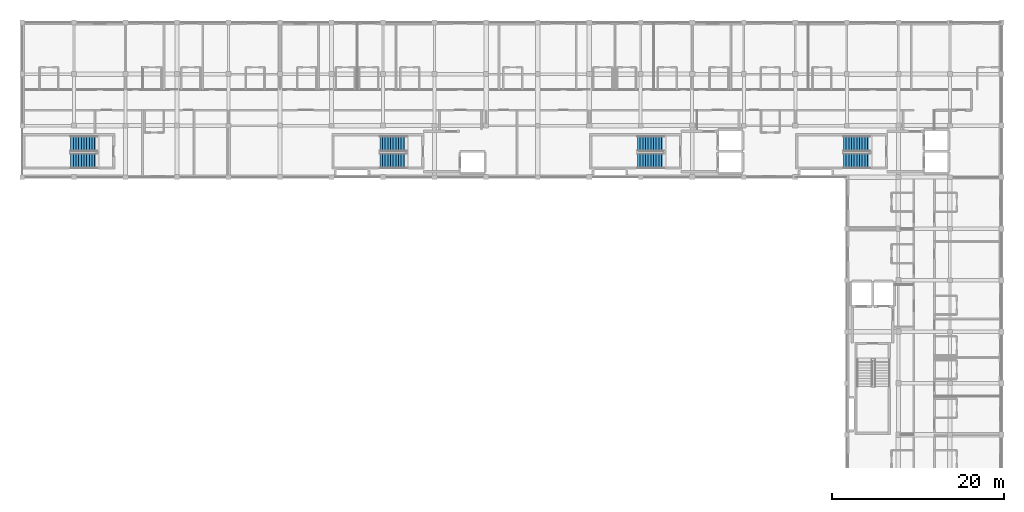
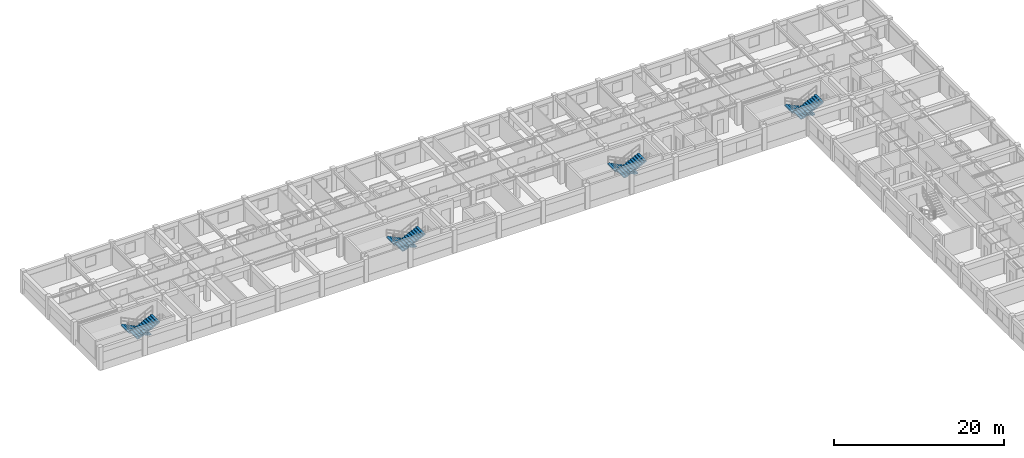
# One storey, part 16 of 21: 8 stair flights, 4 elements without a shape of their own.
"""IFC4 building model written with IfcOpenShell, lengths in metres."""

from ifc_helpers import new_model, si_unit, direction, frame, origin, place, context, subcontext, project, spatial, polyline, outline, extrude, material, type_object, element, aggregate, save


model = new_model("IFC4")

# Units and contexts
model_context = context("Model", 3, precision=1e-05, world=origin(), true_north=direction((0.0, 1.0)))
body_context = subcontext(model_context, "Body", "Model", "MODEL_VIEW")
ifc_project = project(units=[si_unit("LENGTHUNIT", "METRE"), si_unit("AREAUNIT", "SQUARE_METRE"), si_unit("VOLUMEUNIT", "CUBIC_METRE"), si_unit("PLANEANGLEUNIT", "RADIAN"), si_unit("MASSUNIT", "GRAM", prefix="KILO"), si_unit("THERMODYNAMICTEMPERATUREUNIT", "KELVIN"), si_unit("POWERUNIT", "WATT")], contexts=[model_context])

# Site, building, storey
site_placement = place(None, origin())
site = spatial("IfcSite", under=ifc_project, at=site_placement, CompositionType="ELEMENT")
building_placement = place(site_placement, origin())
building = spatial("IfcBuilding", under=site, at=building_placement, Name="Phaisarnlok Congress Hotel", CompositionType="ELEMENT")
storey_placement = place(building_placement, frame((0.0, 0.0, 31.5)))
storey = spatial("IfcBuildingStorey", under=building, at=storey_placement, Name="L07", CompositionType="ELEMENT", Elevation=31.5)

# Stair, stair flights
ifc_material = material(Name="Concrete C40/50", Category="concrete")
stair_type = type_object("IfcStairType", Name="STR-DOG-05", PredefinedType="HALF_TURN_STAIR", material=ifc_material)
stair_1_placement = place(storey_placement, origin())
stair_1 = element("IfcStair", 1, at=stair_1_placement, inside=storey, type_object=stair_type, Name="L07 ST-05", PredefinedType="HALF_TURN_STAIR")
stair_flight_type = type_object("IfcStairFlightType", Name="SFL-RC-05", PredefinedType="STRAIGHT", material=ifc_material)
stair_flight_1_placement = place(storey_placement, frame((164.719970703125, 111.909912109375, 0.0), z_axis=(0.0, 0.0, 1.0), x_axis=(-1.0, 0.0, 0.0)))
stair_flight_1 = element("IfcStairFlight", 2, at=stair_flight_1_placement, type_object=stair_flight_type, Name="ST-05 flight 1", NumberOfRisers=11, NumberOfTreads=10, PredefinedType="STRAIGHT", RiserHeight=0.15, TreadLength=0.31, context=body_context, shape_type="SweptSolid", body=[
    extrude(outline(polyline([(0.0, 0.0), (0.0, 0.14990234375), (0.31005859375, 0.14990234375), (0.31005859375, 0.300048828125), (0.6201171875, 0.300048828125), (0.6201171875, 0.449951171875), (0.929931640625, 0.449951171875), (0.929931640625, 0.60009765625), (1.239990234375, 0.60009765625), (1.239990234375, 0.75), (1.550048828125, 0.75), (1.550048828125, 0.89990234375), (1.860107421875, 0.89990234375), (1.860107421875, 1.050048828125), (2.169921875, 1.050048828125), (2.169921875, 1.199951171875), (2.47998046875, 1.199951171875), (2.47998046875, 1.35009765625), (2.7900390625, 1.35009765625), (2.7900390625, 1.5), (3.10009765625, 1.5), (3.10009765625, 1.64990234375), (3.10009765625, 1.33349609375), (0.34423828125, 0.0), (0.0, 0.0)])), frame((0.0, 0.89013671875, 0.0), z_axis=(0.0, -1.0, 0.0), x_axis=(1.0, 0.0, 0.0)), (0.0, 0.0, 1.0), 1.780029296875),
])
stair_flight_2_placement = place(storey_placement, frame((161.6201171875, 109.889892578125, 1.64990234375), z_axis=(0.0, 0.0, 1.0), x_axis=(1.0, 0.0, 0.0)))
stair_flight_2 = element("IfcStairFlight", 3, at=stair_flight_2_placement, type_object=stair_flight_type, Name="ST-05 flight 2", NumberOfRisers=11, NumberOfTreads=10, PredefinedType="STRAIGHT", RiserHeight=0.15, TreadLength=0.31, context=body_context, shape_type="SweptSolid", body=[
    extrude(outline(polyline([(0.0, 0.0), (0.0, 0.14990234375), (0.31005859375, 0.14990234375), (0.31005859375, 0.300048828125), (0.6201171875, 0.300048828125), (0.6201171875, 0.449951171875), (0.929931640625, 0.449951171875), (0.929931640625, 0.60009765625), (1.239990234375, 0.60009765625), (1.239990234375, 0.75), (1.550048828125, 0.75), (1.550048828125, 0.89990234375), (1.860107421875, 0.89990234375), (1.860107421875, 1.050048828125), (2.169921875, 1.050048828125), (2.169921875, 1.199951171875), (2.47998046875, 1.199951171875), (2.47998046875, 1.35009765625), (2.7900390625, 1.35009765625), (2.7900390625, 1.5), (3.10009765625, 1.5), (3.10009765625, 1.64990234375), (3.10009765625, 1.33349609375), (0.34423828125, 0.0), (0.0, 0.0)])), frame((0.0, 0.89013671875, 0.0), z_axis=(0.0, -1.0, 0.0), x_axis=(1.0, 0.0, 0.0)), (0.0, 0.0, 1.0), 1.780029296875),
])
aggregate(stair_1, [stair_flight_1, stair_flight_2])

stair_2_placement = place(storey_placement, origin())
stair_2 = element("IfcStair", 4, at=stair_2_placement, inside=storey, type_object=stair_type, Name="L07 ST-06", PredefinedType="HALF_TURN_STAIR")
stair_flight_3_placement = place(storey_placement, frame((140.719970703125, 111.909912109375, 0.0), z_axis=(0.0, 0.0, 1.0), x_axis=(-1.0, 0.0, 0.0)))
stair_flight_3 = element("IfcStairFlight", 5, at=stair_flight_3_placement, type_object=stair_flight_type, Name="ST-06 flight 1", NumberOfRisers=11, NumberOfTreads=10, PredefinedType="STRAIGHT", RiserHeight=0.15, TreadLength=0.31, context=body_context, shape_type="SweptSolid", body=[
    extrude(outline(polyline([(0.0, 0.0), (0.0, 0.14990234375), (0.31005859375, 0.14990234375), (0.31005859375, 0.300048828125), (0.6201171875, 0.300048828125), (0.6201171875, 0.449951171875), (0.929931640625, 0.449951171875), (0.929931640625, 0.60009765625), (1.239990234375, 0.60009765625), (1.239990234375, 0.75), (1.550048828125, 0.75), (1.550048828125, 0.89990234375), (1.860107421875, 0.89990234375), (1.860107421875, 1.050048828125), (2.169921875, 1.050048828125), (2.169921875, 1.199951171875), (2.47998046875, 1.199951171875), (2.47998046875, 1.35009765625), (2.7900390625, 1.35009765625), (2.7900390625, 1.5), (3.10009765625, 1.5), (3.10009765625, 1.64990234375), (3.10009765625, 1.33349609375), (0.34423828125, 0.0), (0.0, 0.0)])), frame((0.0, 0.89013671875, 0.0), z_axis=(0.0, -1.0, 0.0), x_axis=(1.0, 0.0, 0.0)), (0.0, 0.0, 1.0), 1.780029296875),
])
stair_flight_4_placement = place(storey_placement, frame((137.6201171875, 109.889892578125, 1.64990234375), z_axis=(0.0, 0.0, 1.0), x_axis=(1.0, 0.0, 0.0)))
stair_flight_4 = element("IfcStairFlight", 6, at=stair_flight_4_placement, type_object=stair_flight_type, Name="ST-06 flight 2", NumberOfRisers=11, NumberOfTreads=10, PredefinedType="STRAIGHT", RiserHeight=0.15, TreadLength=0.31, context=body_context, shape_type="SweptSolid", body=[
    extrude(outline(polyline([(0.0, 0.0), (0.0, 0.14990234375), (0.31005859375, 0.14990234375), (0.31005859375, 0.300048828125), (0.6201171875, 0.300048828125), (0.6201171875, 0.449951171875), (0.929931640625, 0.449951171875), (0.929931640625, 0.60009765625), (1.239990234375, 0.60009765625), (1.239990234375, 0.75), (1.550048828125, 0.75), (1.550048828125, 0.89990234375), (1.860107421875, 0.89990234375), (1.860107421875, 1.050048828125), (2.169921875, 1.050048828125), (2.169921875, 1.199951171875), (2.47998046875, 1.199951171875), (2.47998046875, 1.35009765625), (2.7900390625, 1.35009765625), (2.7900390625, 1.5), (3.10009765625, 1.5), (3.10009765625, 1.64990234375), (3.10009765625, 1.33349609375), (0.34423828125, 0.0), (0.0, 0.0)])), frame((0.0, 0.89013671875, 0.0), z_axis=(0.0, -1.0, 0.0), x_axis=(1.0, 0.0, 0.0)), (0.0, 0.0, 1.0), 1.780029296875),
])
aggregate(stair_2, [stair_flight_3, stair_flight_4])

stair_3_placement = place(storey_placement, origin())
stair_3 = element("IfcStair", 7, at=stair_3_placement, inside=storey, type_object=stair_type, Name="L07 ST-07", PredefinedType="HALF_TURN_STAIR")
stair_flight_5_placement = place(storey_placement, frame((110.719970703125, 111.909912109375, 0.0), z_axis=(0.0, 0.0, 1.0), x_axis=(-1.0, 0.0, 0.0)))
stair_flight_5 = element("IfcStairFlight", 8, at=stair_flight_5_placement, type_object=stair_flight_type, Name="ST-07 flight 1", NumberOfRisers=11, NumberOfTreads=10, PredefinedType="STRAIGHT", RiserHeight=0.15, TreadLength=0.31, context=body_context, shape_type="SweptSolid", body=[
    extrude(outline(polyline([(0.0, 0.0), (0.0, 0.14990234375), (0.31005859375, 0.14990234375), (0.31005859375, 0.300048828125), (0.6201171875, 0.300048828125), (0.6201171875, 0.449951171875), (0.929931640625, 0.449951171875), (0.929931640625, 0.60009765625), (1.239990234375, 0.60009765625), (1.239990234375, 0.75), (1.550048828125, 0.75), (1.550048828125, 0.89990234375), (1.860107421875, 0.89990234375), (1.860107421875, 1.050048828125), (2.169921875, 1.050048828125), (2.169921875, 1.199951171875), (2.47998046875, 1.199951171875), (2.47998046875, 1.35009765625), (2.7900390625, 1.35009765625), (2.7900390625, 1.5), (3.10009765625, 1.5), (3.10009765625, 1.64990234375), (3.10009765625, 1.33349609375), (0.34423828125, 0.0), (0.0, 0.0)])), frame((0.0, 0.89013671875, 0.0), z_axis=(0.0, -1.0, 0.0), x_axis=(1.0, 0.0, 0.0)), (0.0, 0.0, 1.0), 1.780029296875),
])
stair_flight_6_placement = place(storey_placement, frame((107.6201171875, 109.889892578125, 1.64990234375), z_axis=(0.0, 0.0, 1.0), x_axis=(1.0, 0.0, 0.0)))
stair_flight_6 = element("IfcStairFlight", 9, at=stair_flight_6_placement, type_object=stair_flight_type, Name="ST-07 flight 2", NumberOfRisers=11, NumberOfTreads=10, PredefinedType="STRAIGHT", RiserHeight=0.15, TreadLength=0.31, context=body_context, shape_type="SweptSolid", body=[
    extrude(outline(polyline([(0.0, 0.0), (0.0, 0.14990234375), (0.31005859375, 0.14990234375), (0.31005859375, 0.300048828125), (0.6201171875, 0.300048828125), (0.6201171875, 0.449951171875), (0.929931640625, 0.449951171875), (0.929931640625, 0.60009765625), (1.239990234375, 0.60009765625), (1.239990234375, 0.75), (1.550048828125, 0.75), (1.550048828125, 0.89990234375), (1.860107421875, 0.89990234375), (1.860107421875, 1.050048828125), (2.169921875, 1.050048828125), (2.169921875, 1.199951171875), (2.47998046875, 1.199951171875), (2.47998046875, 1.35009765625), (2.7900390625, 1.35009765625), (2.7900390625, 1.5), (3.10009765625, 1.5), (3.10009765625, 1.64990234375), (3.10009765625, 1.33349609375), (0.34423828125, 0.0), (0.0, 0.0)])), frame((0.0, 0.89013671875, 0.0), z_axis=(0.0, -1.0, 0.0), x_axis=(1.0, 0.0, 0.0)), (0.0, 0.0, 1.0), 1.780029296875),
])
aggregate(stair_3, [stair_flight_5, stair_flight_6])

stair_4_placement = place(storey_placement, origin())
stair_4 = element("IfcStair", 10, at=stair_4_placement, inside=storey, type_object=stair_type, Name="L07 ST-10", PredefinedType="HALF_TURN_STAIR")
stair_flight_7_placement = place(storey_placement, frame((74.719970703125, 111.909912109375, 0.0), z_axis=(0.0, 0.0, 1.0), x_axis=(-1.0, 0.0, 0.0)))
stair_flight_7 = element("IfcStairFlight", 11, at=stair_flight_7_placement, type_object=stair_flight_type, Name="ST-10 flight 1", NumberOfRisers=11, NumberOfTreads=10, PredefinedType="STRAIGHT", RiserHeight=0.15, TreadLength=0.31, context=body_context, shape_type="SweptSolid", body=[
    extrude(outline(polyline([(0.0, 0.0), (0.0, 0.14990234375), (0.31005859375, 0.14990234375), (0.31005859375, 0.300048828125), (0.6201171875, 0.300048828125), (0.6201171875, 0.449951171875), (0.929931640625, 0.449951171875), (0.929931640625, 0.60009765625), (1.239990234375, 0.60009765625), (1.239990234375, 0.75), (1.550048828125, 0.75), (1.550048828125, 0.89990234375), (1.860107421875, 0.89990234375), (1.860107421875, 1.050048828125), (2.169921875, 1.050048828125), (2.169921875, 1.199951171875), (2.47998046875, 1.199951171875), (2.47998046875, 1.35009765625), (2.7900390625, 1.35009765625), (2.7900390625, 1.5), (3.10009765625, 1.5), (3.10009765625, 1.64990234375), (3.10009765625, 1.33349609375), (0.34423828125, 0.0), (0.0, 0.0)])), frame((0.0, 0.89013671875, 0.0), z_axis=(0.0, -1.0, 0.0), x_axis=(1.0, 0.0, 0.0)), (0.0, 0.0, 1.0), 1.780029296875),
])
stair_flight_8_placement = place(storey_placement, frame((71.6201171875, 109.889892578125, 1.64990234375), z_axis=(0.0, 0.0, 1.0), x_axis=(1.0, 0.0, 0.0)))
stair_flight_8 = element("IfcStairFlight", 12, at=stair_flight_8_placement, type_object=stair_flight_type, Name="ST-10 flight 2", NumberOfRisers=11, NumberOfTreads=10, PredefinedType="STRAIGHT", RiserHeight=0.15, TreadLength=0.31, context=body_context, shape_type="SweptSolid", body=[
    extrude(outline(polyline([(0.0, 0.0), (0.0, 0.14990234375), (0.31005859375, 0.14990234375), (0.31005859375, 0.300048828125), (0.6201171875, 0.300048828125), (0.6201171875, 0.449951171875), (0.929931640625, 0.449951171875), (0.929931640625, 0.60009765625), (1.239990234375, 0.60009765625), (1.239990234375, 0.75), (1.550048828125, 0.75), (1.550048828125, 0.89990234375), (1.860107421875, 0.89990234375), (1.860107421875, 1.050048828125), (2.169921875, 1.050048828125), (2.169921875, 1.199951171875), (2.47998046875, 1.199951171875), (2.47998046875, 1.35009765625), (2.7900390625, 1.35009765625), (2.7900390625, 1.5), (3.10009765625, 1.5), (3.10009765625, 1.64990234375), (3.10009765625, 1.33349609375), (0.34423828125, 0.0), (0.0, 0.0)])), frame((0.0, 0.89013671875, 0.0), z_axis=(0.0, -1.0, 0.0), x_axis=(1.0, 0.0, 0.0)), (0.0, 0.0, 1.0), 1.780029296875),
])
aggregate(stair_4, [stair_flight_7, stair_flight_8])

save(model, "model.ifc")
